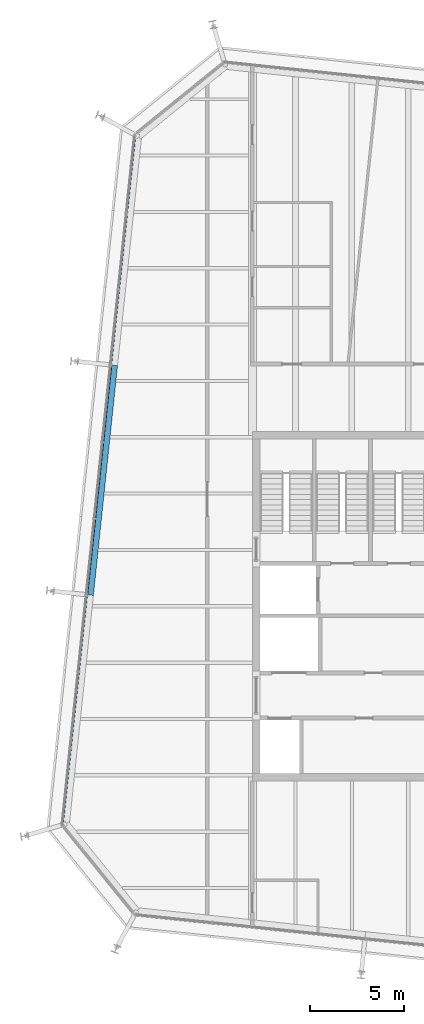
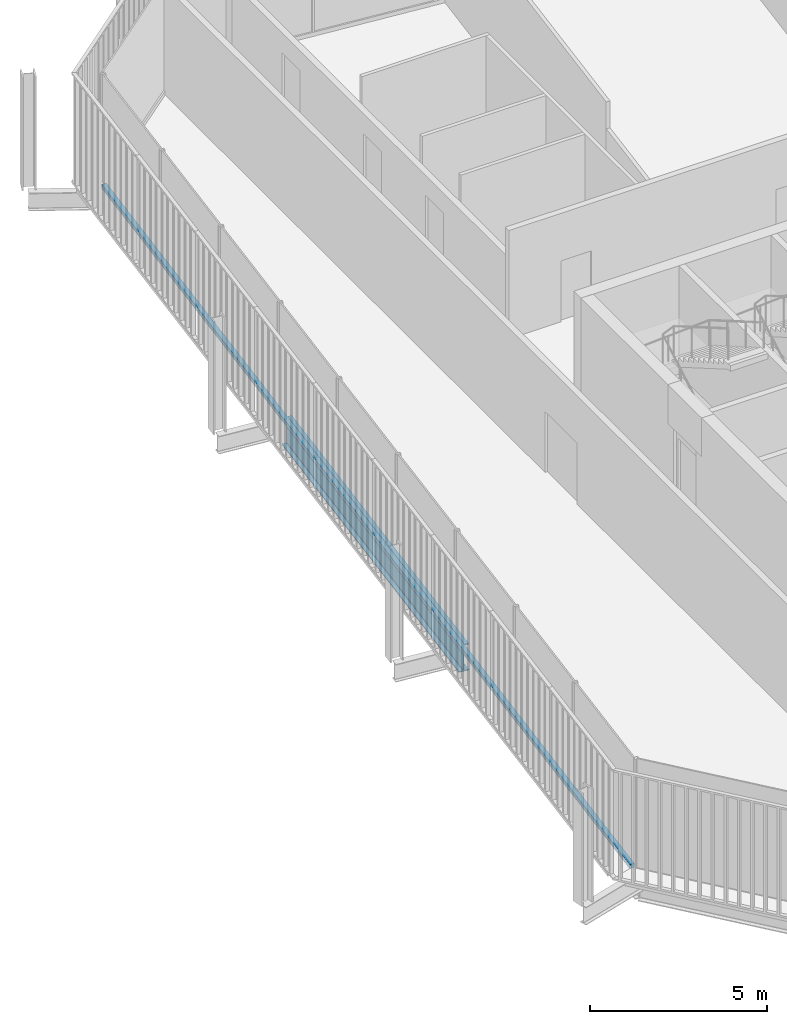
# One storey, part 7 of 20: 1 beam, 1 member, 1 element without a shape of its own.
"""IFC4 building model written with IfcOpenShell, lengths in metres."""

from ifc_helpers import new_model, si_unit, direction, frame, origin, origin_2d, place, context, subcontext, project, spatial, rectangle, i_section, extrude, material, layer, layer_set, material_profile, profile_set, type_object, element, aggregate, save


model = new_model("IFC4")

# Units and contexts
model_context = context("Model", 3, precision=1e-05, world=origin(), true_north=direction((0.0, 1.0)))
body_context = subcontext(model_context, "Body", "Model", "MODEL_VIEW")
ifc_project = project(units=[si_unit("LENGTHUNIT", "METRE"), si_unit("AREAUNIT", "SQUARE_METRE"), si_unit("VOLUMEUNIT", "CUBIC_METRE"), si_unit("PLANEANGLEUNIT", "RADIAN"), si_unit("MASSUNIT", "GRAM", prefix="KILO")], contexts=[model_context])

# Site, building, storey
site_placement = place(None, origin())
site = spatial("IfcSite", under=ifc_project, at=site_placement, CompositionType="ELEMENT")
building_placement = place(site_placement, origin())
building = spatial("IfcBuilding", under=site, at=building_placement, Name="Millrace Tower", CompositionType="ELEMENT")
storey_placement = place(building_placement, frame((0.0, 0.0, 330.39990234375)))
storey = spatial("IfcBuildingStorey", under=building, at=storey_placement, Name="L76", CompositionType="ELEMENT", Elevation=330.39990234375)

# Curtain wall, member
ifc_material_1 = material(Name="Aluminium and glass", Category="aluminium")
ifc_layer = layer(ifc_material_1, 0.14990234375)
ifc_layer_set = layer_set([ifc_layer], Name="Aluminium and glass")
curtain_wall_type = type_object("IfcCurtainWallType", Name="CW-1 office vision curtain wall", PredefinedType="NOTDEFINED", material=ifc_layer_set)
curtain_wall_placement = place(storey_placement, origin())
curtain_wall = element("IfcCurtainWall", 1, at=curtain_wall_placement, inside=storey, type_object=curtain_wall_type, Name="Curtain wall E-F08 L76", PredefinedType="NOTDEFINED")
ifc_material_2 = material(Name="Aluminium", Category="aluminium")
ifc_material_profile_1 = material_profile(ifc_material_2, rectangle(XDim=0.14990234375, YDim=0.139892578125, at=origin_2d()))
ifc_profile_set_1 = profile_set([ifc_material_profile_1], Name="Aluminium")
member_type = type_object("IfcMemberType", Name="CW-1 office vision curtain wall transom", PredefinedType="USERDEFINED", material=ifc_profile_set_1)
member_placement = place(storey_placement, frame((-20.581787109375, 24.9853515625, 0.070068359375), z_axis=(-0.104527916025, -0.994521952886, 0.0), x_axis=(0.994521952886, -0.104527916025, 0.0)))
member = element("IfcMember", 2, at=member_placement, type_object=member_type, Name="CW1 transom E-F08.1", ObjectType="TRANSOM", PredefinedType="USERDEFINED", context=body_context, shape_type="SweptSolid", body=[
    extrude(rectangle(XDim=0.14990234375, YDim=0.139892578125, at=origin_2d()), origin(), (0.0, 0.0, 1.0), 36.699951171875),
])
aggregate(curtain_wall, [member])

# Beam
ifc_material_3 = material(Name="Steel ASTM A992 Grade 50", Category="steel")
ifc_material_profile_2 = material_profile(ifc_material_3, i_section(OverallWidth=0.307373046875, OverallDepth=0.927001953125, WebThickness=0.01953125, FlangeThickness=0.031982421875, FilletRadius=0.01904296875, at=origin_2d()))
ifc_profile_set_2 = profile_set([ifc_material_profile_2], Name="Steel ASTM A992 Grade 50")
beam_type = type_object("IfcBeamType", Name="Ring beam medium span W36x194", PredefinedType="SPANDREL", material=ifc_profile_set_2)
beam_placement = place(storey_placement, frame((-22.915283203125, 0.595703125, -0.62353515625), z_axis=(0.104523600289, 0.994522406476, 0.0), x_axis=(-0.994522406476, 0.104523600289, 0.0)))
element("IfcBeam", 3, at=beam_placement, inside=storey, type_object=beam_type, Name="RNG-E-L76-S1-02", PredefinedType="SPANDREL", context=body_context, shape_type="SweptSolid", body=[
    extrude(i_section(OverallWidth=0.307373046875, OverallDepth=0.927001953125, WebThickness=0.01953125, FlangeThickness=0.031982421875, FilletRadius=0.01904296875, at=origin_2d()), origin(), (0.0, 0.0, 1.0), 12.300048828125),
])

save(model, "model.ifc")
